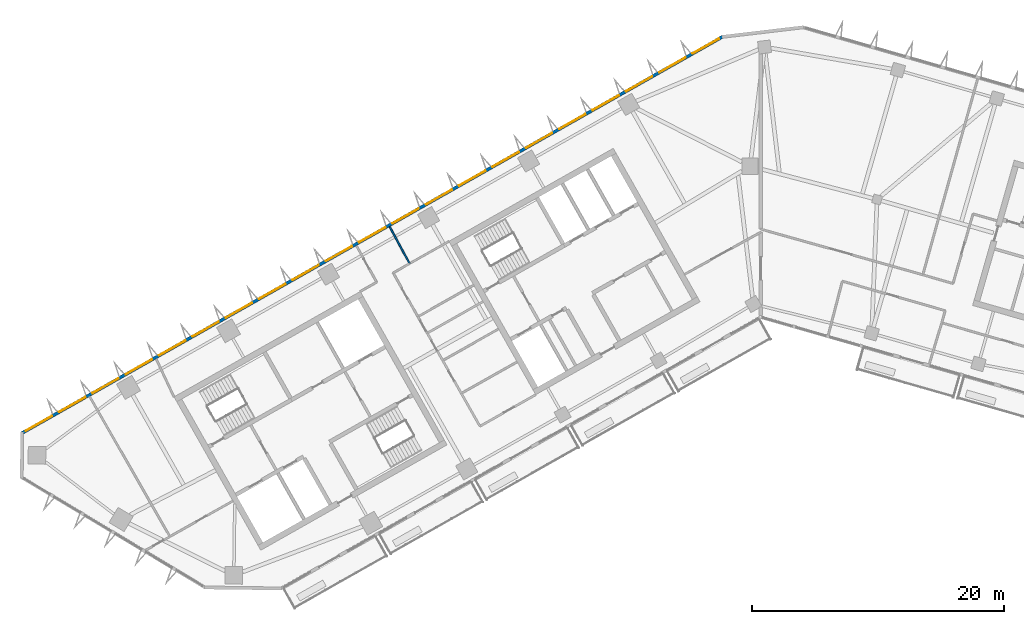
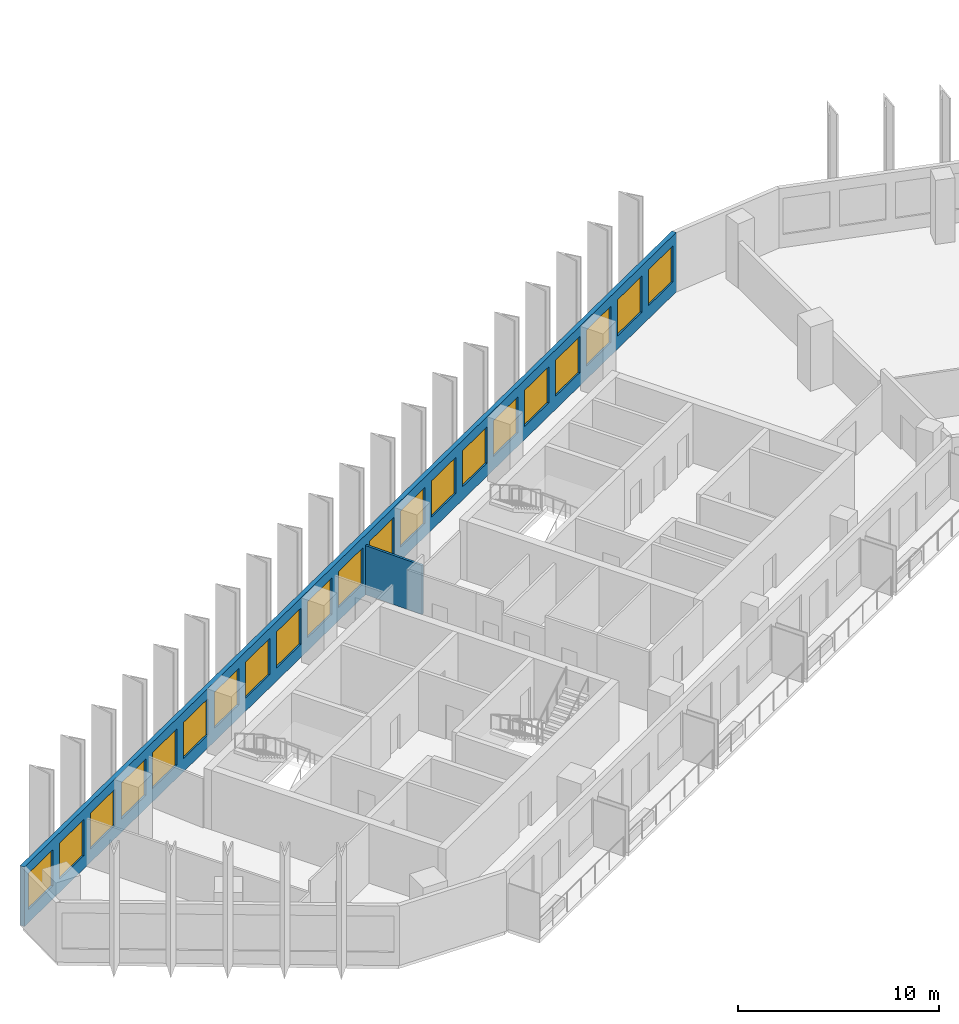
# One storey, part 4 of 11: 21 windows, 2 walls, 21 openings.
"""IFC4 building model written with IfcOpenShell, lengths in metres."""

from ifc_helpers import new_model, si_unit, direction, frame, frame_2d, origin, place, context, subcontext, project, spatial, rectangle, extrude, material, layer, layer_set, type_object, element, fill, save


model = new_model("IFC4")

# Units and contexts
model_context = context("Model", 3, precision=1e-05, world=origin(), true_north=direction((0.0, 1.0)))
body_context = subcontext(model_context, "Body", "Model", "MODEL_VIEW")
ifc_project = project(units=[si_unit("LENGTHUNIT", "METRE"), si_unit("AREAUNIT", "SQUARE_METRE"), si_unit("VOLUMEUNIT", "CUBIC_METRE"), si_unit("PLANEANGLEUNIT", "RADIAN"), si_unit("MASSUNIT", "GRAM", prefix="KILO")], contexts=[model_context])

# Site, building, storey
site_placement = place(None, origin())
site = spatial("IfcSite", under=ifc_project, at=site_placement, CompositionType="ELEMENT")
building_placement = place(site_placement, origin())
building = spatial("IfcBuilding", under=site, at=building_placement, Name="Binnacle Exchange Tower", CompositionType="ELEMENT")
storey_placement = place(building_placement, frame((0.0, 0.0, 223.10009765625)))
storey = spatial("IfcBuildingStorey", under=building, at=storey_placement, Name="L49", CompositionType="ELEMENT", Elevation=223.10009765625)

# Wall, openings, windows
ifc_material_1 = material(Name="Bronze aluminium cladding", Category="aluminium")
ifc_layer_1 = layer(ifc_material_1, 0.25)
ifc_layer_set_1 = layer_set([ifc_layer_1], Name="External wall - window wall 250")
wall_type_1 = type_object("IfcWallType", Name="External wall - window wall 250", PredefinedType="STANDARD", material=ifc_layer_set_1)
wall_1_placement = place(storey_placement, frame((-58.732177734375, 38.770751953125, 0.0), z_axis=(0.0, 0.0, 1.0), x_axis=(0.870354824205, 0.492425100887, 0.0)))
wall_1 = element("IfcWall", 1, at=wall_1_placement, inside=storey, type_object=wall_type_1, Name="External wall EW-G08 L49", PredefinedType="STANDARD", context=body_context, shape_type="SweptSolid", body=[
    extrude(rectangle(XDim=64.005859375, YDim=0.25, at=frame_2d((32.0029296875, 0.0))), origin(), (0.0, 0.0, 1.0), 3.619873046875),
])
opening_1_placement = place(wall_1_placement, frame((61.25927734375, 0.0, 0.800048828125)))
opening_1 = element("IfcOpeningElement", 2, at=opening_1_placement, cuts=wall_1, Name="Opening WR1", PredefinedType="OPENING", context=body_context, shape_type="SweptSolid", body=[
    extrude(rectangle(XDim=2.39990234375, YDim=2.199951171875, at=frame_2d((1.199951171875, 1.10009765625))), frame((0.0, 0.135009765625, 0.0), z_axis=(0.0, -1.0, 0.0), x_axis=(1.0, 0.0, 0.0)), (0.0, 0.0, 1.0), 0.27001953125),
])
opening_2_placement = place(wall_1_placement, frame((58.2158203125, 0.0, 0.800048828125)))
opening_2 = element("IfcOpeningElement", 3, at=opening_2_placement, cuts=wall_1, Name="Opening WR1", PredefinedType="OPENING", context=body_context, shape_type="SweptSolid", body=[
    extrude(rectangle(XDim=2.39990234375, YDim=2.199951171875, at=frame_2d((1.199951171875, 1.10009765625))), frame((0.0, 0.135009765625, 0.0), z_axis=(0.0, -1.0, 0.0), x_axis=(1.0, 0.0, 0.0)), (0.0, 0.0, 1.0), 0.27001953125),
])
opening_3_placement = place(wall_1_placement, frame((55.172607421875, 0.0, 0.800048828125)))
opening_3 = element("IfcOpeningElement", 4, at=opening_3_placement, cuts=wall_1, Name="Opening WR1", PredefinedType="OPENING", context=body_context, shape_type="SweptSolid", body=[
    extrude(rectangle(XDim=2.39990234375, YDim=2.199951171875, at=frame_2d((1.199951171875, 1.10009765625))), frame((0.0, 0.135009765625, 0.0), z_axis=(0.0, -1.0, 0.0), x_axis=(1.0, 0.0, 0.0)), (0.0, 0.0, 1.0), 0.27001953125),
])
opening_4_placement = place(wall_1_placement, frame((52.12939453125, 0.0, 0.800048828125)))
opening_4 = element("IfcOpeningElement", 5, at=opening_4_placement, cuts=wall_1, Name="Opening WR1", PredefinedType="OPENING", context=body_context, shape_type="SweptSolid", body=[
    extrude(rectangle(XDim=2.39990234375, YDim=2.199951171875, at=frame_2d((1.199951171875, 1.10009765625))), frame((0.0, 0.135009765625, 0.0), z_axis=(0.0, -1.0, 0.0), x_axis=(1.0, 0.0, 0.0)), (0.0, 0.0, 1.0), 0.27001953125),
])
opening_5_placement = place(wall_1_placement, frame((49.0859375, 0.0, 0.800048828125)))
opening_5 = element("IfcOpeningElement", 6, at=opening_5_placement, cuts=wall_1, Name="Opening WR1", PredefinedType="OPENING", context=body_context, shape_type="SweptSolid", body=[
    extrude(rectangle(XDim=2.39990234375, YDim=2.199951171875, at=frame_2d((1.199951171875, 1.10009765625))), frame((0.0, 0.135009765625, 0.0), z_axis=(0.0, -1.0, 0.0), x_axis=(1.0, 0.0, 0.0)), (0.0, 0.0, 1.0), 0.27001953125),
])
opening_6_placement = place(wall_1_placement, frame((46.042724609375, 0.0, 0.800048828125)))
opening_6 = element("IfcOpeningElement", 7, at=opening_6_placement, cuts=wall_1, Name="Opening WR1", PredefinedType="OPENING", context=body_context, shape_type="SweptSolid", body=[
    extrude(rectangle(XDim=2.39990234375, YDim=2.199951171875, at=frame_2d((1.199951171875, 1.10009765625))), frame((0.0, 0.135009765625, 0.0), z_axis=(0.0, -1.0, 0.0), x_axis=(1.0, 0.0, 0.0)), (0.0, 0.0, 1.0), 0.27001953125),
])
opening_7_placement = place(wall_1_placement, frame((42.99951171875, 0.0, 0.800048828125)))
opening_7 = element("IfcOpeningElement", 8, at=opening_7_placement, cuts=wall_1, Name="Opening WR1", PredefinedType="OPENING", context=body_context, shape_type="SweptSolid", body=[
    extrude(rectangle(XDim=2.39990234375, YDim=2.199951171875, at=frame_2d((1.199951171875, 1.10009765625))), frame((0.0, 0.135009765625, 0.0), z_axis=(0.0, -1.0, 0.0), x_axis=(1.0, 0.0, 0.0)), (0.0, 0.0, 1.0), 0.27001953125),
])
opening_8_placement = place(wall_1_placement, frame((39.956298828125, 0.0, 0.800048828125)))
opening_8 = element("IfcOpeningElement", 9, at=opening_8_placement, cuts=wall_1, Name="Opening WR1", PredefinedType="OPENING", context=body_context, shape_type="SweptSolid", body=[
    extrude(rectangle(XDim=2.39990234375, YDim=2.199951171875, at=frame_2d((1.199951171875, 1.10009765625))), frame((0.0, 0.135009765625, 0.0), z_axis=(0.0, -1.0, 0.0), x_axis=(1.0, 0.0, 0.0)), (0.0, 0.0, 1.0), 0.27001953125),
])
opening_9_placement = place(wall_1_placement, frame((36.912841796875, 0.0, 0.800048828125)))
opening_9 = element("IfcOpeningElement", 10, at=opening_9_placement, cuts=wall_1, Name="Opening WR1", PredefinedType="OPENING", context=body_context, shape_type="SweptSolid", body=[
    extrude(rectangle(XDim=2.39990234375, YDim=2.199951171875, at=frame_2d((1.199951171875, 1.10009765625))), frame((0.0, 0.135009765625, 0.0), z_axis=(0.0, -1.0, 0.0), x_axis=(1.0, 0.0, 0.0)), (0.0, 0.0, 1.0), 0.27001953125),
])
opening_10_placement = place(wall_1_placement, frame((33.86962890625, 0.0, 0.800048828125)))
opening_10 = element("IfcOpeningElement", 11, at=opening_10_placement, cuts=wall_1, Name="Opening WR1", PredefinedType="OPENING", context=body_context, shape_type="SweptSolid", body=[
    extrude(rectangle(XDim=2.39990234375, YDim=2.199951171875, at=frame_2d((1.199951171875, 1.10009765625))), frame((0.0, 0.135009765625, 0.0), z_axis=(0.0, -1.0, 0.0), x_axis=(1.0, 0.0, 0.0)), (0.0, 0.0, 1.0), 0.27001953125),
])
opening_11_placement = place(wall_1_placement, frame((30.826416015625, 0.0, 0.800048828125)))
opening_11 = element("IfcOpeningElement", 12, at=opening_11_placement, cuts=wall_1, Name="Opening WR1", PredefinedType="OPENING", context=body_context, shape_type="SweptSolid", body=[
    extrude(rectangle(XDim=2.39990234375, YDim=2.199951171875, at=frame_2d((1.199951171875, 1.10009765625))), frame((0.0, 0.135009765625, 0.0), z_axis=(0.0, -1.0, 0.0), x_axis=(1.0, 0.0, 0.0)), (0.0, 0.0, 1.0), 0.27001953125),
])
opening_12_placement = place(wall_1_placement, frame((27.782958984375, 0.0, 0.800048828125)))
opening_12 = element("IfcOpeningElement", 13, at=opening_12_placement, cuts=wall_1, Name="Opening WR1", PredefinedType="OPENING", context=body_context, shape_type="SweptSolid", body=[
    extrude(rectangle(XDim=2.39990234375, YDim=2.199951171875, at=frame_2d((1.199951171875, 1.10009765625))), frame((0.0, 0.135009765625, 0.0), z_axis=(0.0, -1.0, 0.0), x_axis=(1.0, 0.0, 0.0)), (0.0, 0.0, 1.0), 0.27001953125),
])
opening_13_placement = place(wall_1_placement, frame((24.73974609375, 0.0, 0.800048828125)))
opening_13 = element("IfcOpeningElement", 14, at=opening_13_placement, cuts=wall_1, Name="Opening WR1", PredefinedType="OPENING", context=body_context, shape_type="SweptSolid", body=[
    extrude(rectangle(XDim=2.39990234375, YDim=2.199951171875, at=frame_2d((1.199951171875, 1.10009765625))), frame((0.0, 0.135009765625, 0.0), z_axis=(0.0, -1.0, 0.0), x_axis=(1.0, 0.0, 0.0)), (0.0, 0.0, 1.0), 0.27001953125),
])
opening_14_placement = place(wall_1_placement, frame((21.6962890625, 0.0, 0.800048828125)))
opening_14 = element("IfcOpeningElement", 15, at=opening_14_placement, cuts=wall_1, Name="Opening WR1", PredefinedType="OPENING", context=body_context, shape_type="SweptSolid", body=[
    extrude(rectangle(XDim=2.39990234375, YDim=2.199951171875, at=frame_2d((1.199951171875, 1.10009765625))), frame((0.0, 0.135009765625, 0.0), z_axis=(0.0, -1.0, 0.0), x_axis=(1.0, 0.0, 0.0)), (0.0, 0.0, 1.0), 0.27001953125),
])
opening_15_placement = place(wall_1_placement, frame((18.6533203125, 0.0, 0.800048828125)))
opening_15 = element("IfcOpeningElement", 16, at=opening_15_placement, cuts=wall_1, Name="Opening WR1", PredefinedType="OPENING", context=body_context, shape_type="SweptSolid", body=[
    extrude(rectangle(XDim=2.39990234375, YDim=2.199951171875, at=frame_2d((1.199951171875, 1.10009765625))), frame((0.0, 0.135009765625, 0.0), z_axis=(0.0, -1.0, 0.0), x_axis=(1.0, 0.0, 0.0)), (0.0, 0.0, 1.0), 0.27001953125),
])
opening_16_placement = place(wall_1_placement, frame((15.60986328125, 0.0, 0.800048828125)))
opening_16 = element("IfcOpeningElement", 17, at=opening_16_placement, cuts=wall_1, Name="Opening WR1", PredefinedType="OPENING", context=body_context, shape_type="SweptSolid", body=[
    extrude(rectangle(XDim=2.39990234375, YDim=2.199951171875, at=frame_2d((1.199951171875, 1.10009765625))), frame((0.0, 0.135009765625, 0.0), z_axis=(0.0, -1.0, 0.0), x_axis=(1.0, 0.0, 0.0)), (0.0, 0.0, 1.0), 0.27001953125),
])
opening_17_placement = place(wall_1_placement, frame((12.566650390625, 0.0, 0.800048828125)))
opening_17 = element("IfcOpeningElement", 18, at=opening_17_placement, cuts=wall_1, Name="Opening WR1", PredefinedType="OPENING", context=body_context, shape_type="SweptSolid", body=[
    extrude(rectangle(XDim=2.39990234375, YDim=2.199951171875, at=frame_2d((1.199951171875, 1.10009765625))), frame((0.0, 0.135009765625, 0.0), z_axis=(0.0, -1.0, 0.0), x_axis=(1.0, 0.0, 0.0)), (0.0, 0.0, 1.0), 0.27001953125),
])
opening_18_placement = place(wall_1_placement, frame((9.523193359375, 0.0, 0.800048828125)))
opening_18 = element("IfcOpeningElement", 19, at=opening_18_placement, cuts=wall_1, Name="Opening WR1", PredefinedType="OPENING", context=body_context, shape_type="SweptSolid", body=[
    extrude(rectangle(XDim=2.39990234375, YDim=2.199951171875, at=frame_2d((1.199951171875, 1.10009765625))), frame((0.0, 0.135009765625, 0.0), z_axis=(0.0, -1.0, 0.0), x_axis=(1.0, 0.0, 0.0)), (0.0, 0.0, 1.0), 0.27001953125),
])
opening_19_placement = place(wall_1_placement, frame((6.47998046875, 0.0, 0.800048828125)))
opening_19 = element("IfcOpeningElement", 20, at=opening_19_placement, cuts=wall_1, Name="Opening WR1", PredefinedType="OPENING", context=body_context, shape_type="SweptSolid", body=[
    extrude(rectangle(XDim=2.39990234375, YDim=2.199951171875, at=frame_2d((1.199951171875, 1.10009765625))), frame((0.0, 0.135009765625, 0.0), z_axis=(0.0, -1.0, 0.0), x_axis=(1.0, 0.0, 0.0)), (0.0, 0.0, 1.0), 0.27001953125),
])
opening_20_placement = place(wall_1_placement, frame((3.436767578125, 0.0, 0.800048828125)))
opening_20 = element("IfcOpeningElement", 21, at=opening_20_placement, cuts=wall_1, Name="Opening WR1", PredefinedType="OPENING", context=body_context, shape_type="SweptSolid", body=[
    extrude(rectangle(XDim=2.39990234375, YDim=2.199951171875, at=frame_2d((1.199951171875, 1.10009765625))), frame((0.0, 0.135009765625, 0.0), z_axis=(0.0, -1.0, 0.0), x_axis=(1.0, 0.0, 0.0)), (0.0, 0.0, 1.0), 0.27001953125),
])
opening_21_placement = place(wall_1_placement, frame((0.393310546875, 0.0, 0.800048828125)))
opening_21 = element("IfcOpeningElement", 22, at=opening_21_placement, cuts=wall_1, Name="Opening WR1", PredefinedType="OPENING", context=body_context, shape_type="SweptSolid", body=[
    extrude(rectangle(XDim=2.39990234375, YDim=2.199951171875, at=frame_2d((1.199951171875, 1.10009765625))), frame((0.0, 0.135009765625, 0.0), z_axis=(0.0, -1.0, 0.0), x_axis=(1.0, 0.0, 0.0)), (0.0, 0.0, 1.0), 0.27001953125),
])
ifc_material_2 = material(Name="Bronze anodised aluminium frame", Category="aluminium")
window_type = type_object("IfcWindowType", Name="WR1 WINDOW 2400x2200", PartitioningType="SINGLE_PANEL", PredefinedType="WINDOW", material=ifc_material_2)
window_1_placement = place(opening_1_placement, origin())
window_1 = element("IfcWindow", 23, at=window_1_placement, inside=storey, type_object=window_type, Name="Window WR1 L49", OverallHeight=2.199951171875, OverallWidth=2.39990234375, PartitioningType="SINGLE_PANEL", PredefinedType="WINDOW", context=body_context, shape_type="SweptSolid", body=[
    extrude(rectangle(XDim=2.39990234375, YDim=2.199951171875, at=frame_2d((1.199951171875, 1.10009765625))), frame((0.0, 0.030029296875, 0.0), z_axis=(0.0, -1.0, 0.0), x_axis=(1.0, 0.0, 0.0)), (0.0, 0.0, 1.0), 0.06005859375),
])
fill(opening_1, window_1)
window_2_placement = place(opening_2_placement, origin())
window_2 = element("IfcWindow", 24, at=window_2_placement, inside=storey, type_object=window_type, Name="Window WR1 L49", OverallHeight=2.199951171875, OverallWidth=2.39990234375, PartitioningType="SINGLE_PANEL", PredefinedType="WINDOW", context=body_context, shape_type="SweptSolid", body=[
    extrude(rectangle(XDim=2.39990234375, YDim=2.199951171875, at=frame_2d((1.199951171875, 1.10009765625))), frame((0.0, 0.030029296875, 0.0), z_axis=(0.0, -1.0, 0.0), x_axis=(1.0, 0.0, 0.0)), (0.0, 0.0, 1.0), 0.06005859375),
])
fill(opening_2, window_2)
window_3_placement = place(opening_3_placement, origin())
window_3 = element("IfcWindow", 25, at=window_3_placement, inside=storey, type_object=window_type, Name="Window WR1 L49", OverallHeight=2.199951171875, OverallWidth=2.39990234375, PartitioningType="SINGLE_PANEL", PredefinedType="WINDOW", context=body_context, shape_type="SweptSolid", body=[
    extrude(rectangle(XDim=2.39990234375, YDim=2.199951171875, at=frame_2d((1.199951171875, 1.10009765625))), frame((0.0, 0.030029296875, 0.0), z_axis=(0.0, -1.0, 0.0), x_axis=(1.0, 0.0, 0.0)), (0.0, 0.0, 1.0), 0.06005859375),
])
fill(opening_3, window_3)
window_4_placement = place(opening_4_placement, origin())
window_4 = element("IfcWindow", 26, at=window_4_placement, inside=storey, type_object=window_type, Name="Window WR1 L49", OverallHeight=2.199951171875, OverallWidth=2.39990234375, PartitioningType="SINGLE_PANEL", PredefinedType="WINDOW", context=body_context, shape_type="SweptSolid", body=[
    extrude(rectangle(XDim=2.39990234375, YDim=2.199951171875, at=frame_2d((1.199951171875, 1.10009765625))), frame((0.0, 0.030029296875, 0.0), z_axis=(0.0, -1.0, 0.0), x_axis=(1.0, 0.0, 0.0)), (0.0, 0.0, 1.0), 0.06005859375),
])
fill(opening_4, window_4)
window_5_placement = place(opening_5_placement, origin())
window_5 = element("IfcWindow", 27, at=window_5_placement, inside=storey, type_object=window_type, Name="Window WR1 L49", OverallHeight=2.199951171875, OverallWidth=2.39990234375, PartitioningType="SINGLE_PANEL", PredefinedType="WINDOW", context=body_context, shape_type="SweptSolid", body=[
    extrude(rectangle(XDim=2.39990234375, YDim=2.199951171875, at=frame_2d((1.199951171875, 1.10009765625))), frame((0.0, 0.030029296875, 0.0), z_axis=(0.0, -1.0, 0.0), x_axis=(1.0, 0.0, 0.0)), (0.0, 0.0, 1.0), 0.06005859375),
])
fill(opening_5, window_5)
window_6_placement = place(opening_6_placement, origin())
window_6 = element("IfcWindow", 28, at=window_6_placement, inside=storey, type_object=window_type, Name="Window WR1 L49", OverallHeight=2.199951171875, OverallWidth=2.39990234375, PartitioningType="SINGLE_PANEL", PredefinedType="WINDOW", context=body_context, shape_type="SweptSolid", body=[
    extrude(rectangle(XDim=2.39990234375, YDim=2.199951171875, at=frame_2d((1.199951171875, 1.10009765625))), frame((0.0, 0.030029296875, 0.0), z_axis=(0.0, -1.0, 0.0), x_axis=(1.0, 0.0, 0.0)), (0.0, 0.0, 1.0), 0.06005859375),
])
fill(opening_6, window_6)
window_7_placement = place(opening_7_placement, origin())
window_7 = element("IfcWindow", 29, at=window_7_placement, inside=storey, type_object=window_type, Name="Window WR1 L49", OverallHeight=2.199951171875, OverallWidth=2.39990234375, PartitioningType="SINGLE_PANEL", PredefinedType="WINDOW", context=body_context, shape_type="SweptSolid", body=[
    extrude(rectangle(XDim=2.39990234375, YDim=2.199951171875, at=frame_2d((1.199951171875, 1.10009765625))), frame((0.0, 0.030029296875, 0.0), z_axis=(0.0, -1.0, 0.0), x_axis=(1.0, 0.0, 0.0)), (0.0, 0.0, 1.0), 0.06005859375),
])
fill(opening_7, window_7)
window_8_placement = place(opening_8_placement, origin())
window_8 = element("IfcWindow", 30, at=window_8_placement, inside=storey, type_object=window_type, Name="Window WR1 L49", OverallHeight=2.199951171875, OverallWidth=2.39990234375, PartitioningType="SINGLE_PANEL", PredefinedType="WINDOW", context=body_context, shape_type="SweptSolid", body=[
    extrude(rectangle(XDim=2.39990234375, YDim=2.199951171875, at=frame_2d((1.199951171875, 1.10009765625))), frame((0.0, 0.030029296875, 0.0), z_axis=(0.0, -1.0, 0.0), x_axis=(1.0, 0.0, 0.0)), (0.0, 0.0, 1.0), 0.06005859375),
])
fill(opening_8, window_8)
window_9_placement = place(opening_9_placement, origin())
window_9 = element("IfcWindow", 31, at=window_9_placement, inside=storey, type_object=window_type, Name="Window WR1 L49", OverallHeight=2.199951171875, OverallWidth=2.39990234375, PartitioningType="SINGLE_PANEL", PredefinedType="WINDOW", context=body_context, shape_type="SweptSolid", body=[
    extrude(rectangle(XDim=2.39990234375, YDim=2.199951171875, at=frame_2d((1.199951171875, 1.10009765625))), frame((0.0, 0.030029296875, 0.0), z_axis=(0.0, -1.0, 0.0), x_axis=(1.0, 0.0, 0.0)), (0.0, 0.0, 1.0), 0.06005859375),
])
fill(opening_9, window_9)
window_10_placement = place(opening_10_placement, origin())
window_10 = element("IfcWindow", 32, at=window_10_placement, inside=storey, type_object=window_type, Name="Window WR1 L49", OverallHeight=2.199951171875, OverallWidth=2.39990234375, PartitioningType="SINGLE_PANEL", PredefinedType="WINDOW", context=body_context, shape_type="SweptSolid", body=[
    extrude(rectangle(XDim=2.39990234375, YDim=2.199951171875, at=frame_2d((1.199951171875, 1.10009765625))), frame((0.0, 0.030029296875, 0.0), z_axis=(0.0, -1.0, 0.0), x_axis=(1.0, 0.0, 0.0)), (0.0, 0.0, 1.0), 0.06005859375),
])
fill(opening_10, window_10)
window_11_placement = place(opening_11_placement, origin())
window_11 = element("IfcWindow", 33, at=window_11_placement, inside=storey, type_object=window_type, Name="Window WR1 L49", OverallHeight=2.199951171875, OverallWidth=2.39990234375, PartitioningType="SINGLE_PANEL", PredefinedType="WINDOW", context=body_context, shape_type="SweptSolid", body=[
    extrude(rectangle(XDim=2.39990234375, YDim=2.199951171875, at=frame_2d((1.199951171875, 1.10009765625))), frame((0.0, 0.030029296875, 0.0), z_axis=(0.0, -1.0, 0.0), x_axis=(1.0, 0.0, 0.0)), (0.0, 0.0, 1.0), 0.06005859375),
])
fill(opening_11, window_11)
window_12_placement = place(opening_12_placement, origin())
window_12 = element("IfcWindow", 34, at=window_12_placement, inside=storey, type_object=window_type, Name="Window WR1 L49", OverallHeight=2.199951171875, OverallWidth=2.39990234375, PartitioningType="SINGLE_PANEL", PredefinedType="WINDOW", context=body_context, shape_type="SweptSolid", body=[
    extrude(rectangle(XDim=2.39990234375, YDim=2.199951171875, at=frame_2d((1.199951171875, 1.10009765625))), frame((0.0, 0.030029296875, 0.0), z_axis=(0.0, -1.0, 0.0), x_axis=(1.0, 0.0, 0.0)), (0.0, 0.0, 1.0), 0.06005859375),
])
fill(opening_12, window_12)
window_13_placement = place(opening_13_placement, origin())
window_13 = element("IfcWindow", 35, at=window_13_placement, inside=storey, type_object=window_type, Name="Window WR1 L49", OverallHeight=2.199951171875, OverallWidth=2.39990234375, PartitioningType="SINGLE_PANEL", PredefinedType="WINDOW", context=body_context, shape_type="SweptSolid", body=[
    extrude(rectangle(XDim=2.39990234375, YDim=2.199951171875, at=frame_2d((1.199951171875, 1.10009765625))), frame((0.0, 0.030029296875, 0.0), z_axis=(0.0, -1.0, 0.0), x_axis=(1.0, 0.0, 0.0)), (0.0, 0.0, 1.0), 0.06005859375),
])
fill(opening_13, window_13)
window_14_placement = place(opening_14_placement, origin())
window_14 = element("IfcWindow", 36, at=window_14_placement, inside=storey, type_object=window_type, Name="Window WR1 L49", OverallHeight=2.199951171875, OverallWidth=2.39990234375, PartitioningType="SINGLE_PANEL", PredefinedType="WINDOW", context=body_context, shape_type="SweptSolid", body=[
    extrude(rectangle(XDim=2.39990234375, YDim=2.199951171875, at=frame_2d((1.199951171875, 1.10009765625))), frame((0.0, 0.030029296875, 0.0), z_axis=(0.0, -1.0, 0.0), x_axis=(1.0, 0.0, 0.0)), (0.0, 0.0, 1.0), 0.06005859375),
])
fill(opening_14, window_14)
window_15_placement = place(opening_15_placement, origin())
window_15 = element("IfcWindow", 37, at=window_15_placement, inside=storey, type_object=window_type, Name="Window WR1 L49", OverallHeight=2.199951171875, OverallWidth=2.39990234375, PartitioningType="SINGLE_PANEL", PredefinedType="WINDOW", context=body_context, shape_type="SweptSolid", body=[
    extrude(rectangle(XDim=2.39990234375, YDim=2.199951171875, at=frame_2d((1.199951171875, 1.10009765625))), frame((0.0, 0.030029296875, 0.0), z_axis=(0.0, -1.0, 0.0), x_axis=(1.0, 0.0, 0.0)), (0.0, 0.0, 1.0), 0.06005859375),
])
fill(opening_15, window_15)
window_16_placement = place(opening_16_placement, origin())
window_16 = element("IfcWindow", 38, at=window_16_placement, inside=storey, type_object=window_type, Name="Window WR1 L49", OverallHeight=2.199951171875, OverallWidth=2.39990234375, PartitioningType="SINGLE_PANEL", PredefinedType="WINDOW", context=body_context, shape_type="SweptSolid", body=[
    extrude(rectangle(XDim=2.39990234375, YDim=2.199951171875, at=frame_2d((1.199951171875, 1.10009765625))), frame((0.0, 0.030029296875, 0.0), z_axis=(0.0, -1.0, 0.0), x_axis=(1.0, 0.0, 0.0)), (0.0, 0.0, 1.0), 0.06005859375),
])
fill(opening_16, window_16)
window_17_placement = place(opening_17_placement, origin())
window_17 = element("IfcWindow", 39, at=window_17_placement, inside=storey, type_object=window_type, Name="Window WR1 L49", OverallHeight=2.199951171875, OverallWidth=2.39990234375, PartitioningType="SINGLE_PANEL", PredefinedType="WINDOW", context=body_context, shape_type="SweptSolid", body=[
    extrude(rectangle(XDim=2.39990234375, YDim=2.199951171875, at=frame_2d((1.199951171875, 1.10009765625))), frame((0.0, 0.030029296875, 0.0), z_axis=(0.0, -1.0, 0.0), x_axis=(1.0, 0.0, 0.0)), (0.0, 0.0, 1.0), 0.06005859375),
])
fill(opening_17, window_17)
window_18_placement = place(opening_18_placement, origin())
window_18 = element("IfcWindow", 40, at=window_18_placement, inside=storey, type_object=window_type, Name="Window WR1 L49", OverallHeight=2.199951171875, OverallWidth=2.39990234375, PartitioningType="SINGLE_PANEL", PredefinedType="WINDOW", context=body_context, shape_type="SweptSolid", body=[
    extrude(rectangle(XDim=2.39990234375, YDim=2.199951171875, at=frame_2d((1.199951171875, 1.10009765625))), frame((0.0, 0.030029296875, 0.0), z_axis=(0.0, -1.0, 0.0), x_axis=(1.0, 0.0, 0.0)), (0.0, 0.0, 1.0), 0.06005859375),
])
fill(opening_18, window_18)
window_19_placement = place(opening_19_placement, origin())
window_19 = element("IfcWindow", 41, at=window_19_placement, inside=storey, type_object=window_type, Name="Window WR1 L49", OverallHeight=2.199951171875, OverallWidth=2.39990234375, PartitioningType="SINGLE_PANEL", PredefinedType="WINDOW", context=body_context, shape_type="SweptSolid", body=[
    extrude(rectangle(XDim=2.39990234375, YDim=2.199951171875, at=frame_2d((1.199951171875, 1.10009765625))), frame((0.0, 0.030029296875, 0.0), z_axis=(0.0, -1.0, 0.0), x_axis=(1.0, 0.0, 0.0)), (0.0, 0.0, 1.0), 0.06005859375),
])
fill(opening_19, window_19)
window_20_placement = place(opening_20_placement, origin())
window_20 = element("IfcWindow", 42, at=window_20_placement, inside=storey, type_object=window_type, Name="Window WR1 L49", OverallHeight=2.199951171875, OverallWidth=2.39990234375, PartitioningType="SINGLE_PANEL", PredefinedType="WINDOW", context=body_context, shape_type="SweptSolid", body=[
    extrude(rectangle(XDim=2.39990234375, YDim=2.199951171875, at=frame_2d((1.199951171875, 1.10009765625))), frame((0.0, 0.030029296875, 0.0), z_axis=(0.0, -1.0, 0.0), x_axis=(1.0, 0.0, 0.0)), (0.0, 0.0, 1.0), 0.06005859375),
])
fill(opening_20, window_20)
window_21_placement = place(opening_21_placement, origin())
window_21 = element("IfcWindow", 43, at=window_21_placement, inside=storey, type_object=window_type, Name="Window WR1 L49", OverallHeight=2.199951171875, OverallWidth=2.39990234375, PartitioningType="SINGLE_PANEL", PredefinedType="WINDOW", context=body_context, shape_type="SweptSolid", body=[
    extrude(rectangle(XDim=2.39990234375, YDim=2.199951171875, at=frame_2d((1.199951171875, 1.10009765625))), frame((0.0, 0.030029296875, 0.0), z_axis=(0.0, -1.0, 0.0), x_axis=(1.0, 0.0, 0.0)), (0.0, 0.0, 1.0), 0.06005859375),
])
fill(opening_21, window_21)

# Wall
ifc_material_3 = material(Name="Gypsum partition")
ifc_layer_2 = layer(ifc_material_3, 0.125)
ifc_layer_set_2 = layer_set([ifc_layer_2], Name="Partition 125")
wall_type_2 = type_object("IfcWallType", Name="Partition 125", PredefinedType="PARTITIONING", material=ifc_layer_set_2)
wall_2_placement = place(storey_placement, frame((-29.47412109375, 55.180908203125, 0.0), z_axis=(0.0, 0.0, 1.0), x_axis=(0.475344759365, -0.879799613403, 0.0)))
element("IfcWall", 44, at=wall_2_placement, inside=storey, type_object=wall_type_2, Name="Partition W07", PredefinedType="PARTITIONING", context=body_context, shape_type="SweptSolid", body=[
    extrude(rectangle(XDim=3.320068359375, YDim=0.125, at=frame_2d((1.66015625, 0.0))), origin(), (0.0, 0.0, 1.0), 2.98779296875),
])

save(model, "model.ifc")
